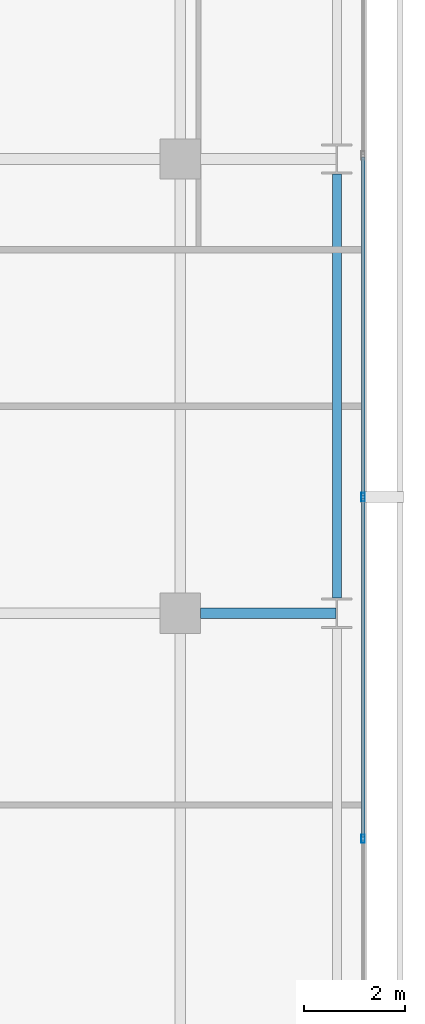
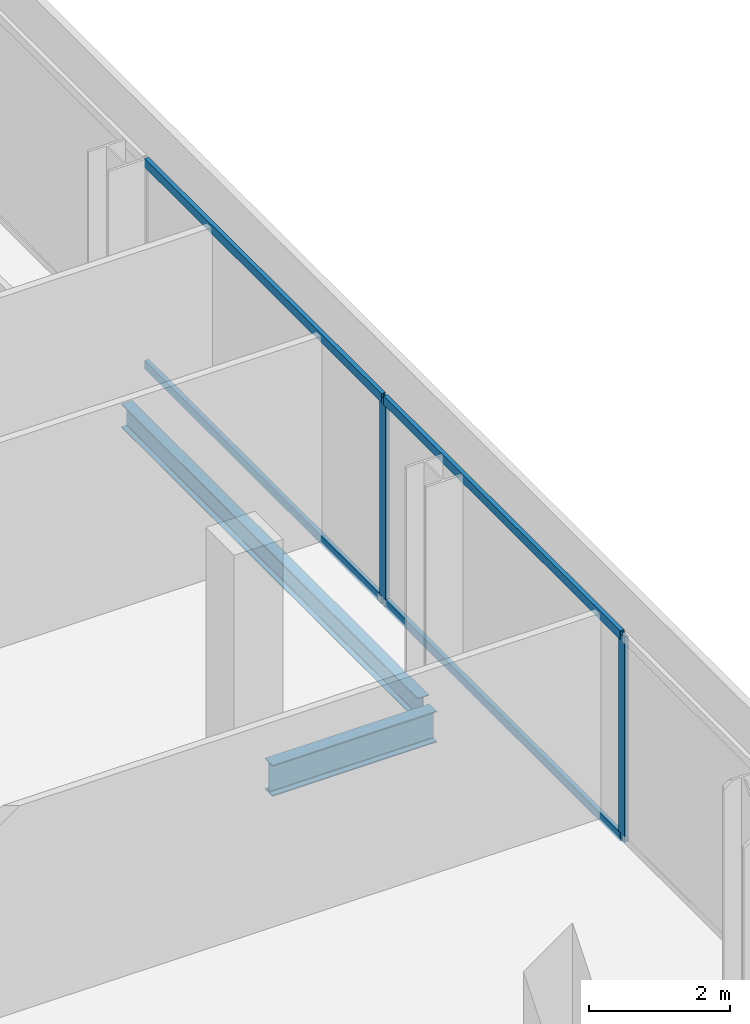
# One storey, part 17 of 32: 6 members, 2 beams, 1 element without a shape of its own.
"""IFC4 building model written with IfcOpenShell, lengths in metres."""

from ifc_helpers import new_model, si_unit, direction, frame, origin, origin_2d, place, context, subcontext, project, spatial, hollow_rectangle, i_section, extrude, material, layer, layer_set, material_profile, profile_set, type_object, element, aggregate, save


model = new_model("IFC4")

# Units and contexts
model_context = context("Model", 3, precision=1e-05, world=origin(), true_north=direction((0.0, 1.0)))
body_context = subcontext(model_context, "Body", "Model", "MODEL_VIEW")
ifc_project = project(units=[si_unit("LENGTHUNIT", "METRE"), si_unit("AREAUNIT", "SQUARE_METRE"), si_unit("VOLUMEUNIT", "CUBIC_METRE"), si_unit("PLANEANGLEUNIT", "RADIAN"), si_unit("MASSUNIT", "GRAM", prefix="KILO")], contexts=[model_context])

# Site, building, storey
site_placement = place(None, origin())
site = spatial("IfcSite", under=ifc_project, at=site_placement, CompositionType="ELEMENT")
building_placement = place(site_placement, origin())
building = spatial("IfcBuilding", under=site, at=building_placement, Name="Maruvema Waterfront Hotel and Observation Tower", CompositionType="ELEMENT")
storey_placement = place(building_placement, frame((0.0, 0.0, 223.64990234375)))
storey = spatial("IfcBuildingStorey", under=building, at=storey_placement, Name="L55", CompositionType="ELEMENT", Elevation=223.64990234375)

# Curtain wall, members
ifc_material_1 = material(Name="Anodised bronze aluminium and solar-control low-E IGU", Category="aluminium")
ifc_layer = layer(ifc_material_1, 0.159912109375, Name="Zone 2 Amber Inner Thermal Curtain Wall System CW-03")
ifc_layer_set = layer_set([ifc_layer], Name="Anodised bronze aluminium and solar-control low-E IGU")
curtain_wall_type = type_object("IfcCurtainWallType", Name="Zone 2 Amber Inner Thermal Curtain Wall System CW-03", PredefinedType="USERDEFINED", material=ifc_layer_set)
curtain_wall_placement = place(storey_placement, origin())
curtain_wall = element("IfcCurtainWall", 1, at=curtain_wall_placement, inside=storey, type_object=curtain_wall_type, Name="L55 Curtain Wall CW-L55-E", ObjectType="UNITISED CURTAIN WALL", PredefinedType="USERDEFINED")
ifc_material_2 = material(Name="Anodised architectural bronze aluminium", Category="aluminium")
ifc_material_profile_1 = material_profile(ifc_material_2, hollow_rectangle(XDim=0.070068359375, YDim=0.14990234375, WallThickness=0.00390625, at=origin_2d()), Name="ALU-T70x150")
ifc_profile_set_1 = profile_set([ifc_material_profile_1], Name="Anodised architectural bronze aluminium")
member_type_1 = type_object("IfcMemberType", Name="Curtain Wall Horizontal Transom ALU-T70x150", PredefinedType="USERDEFINED", material=ifc_profile_set_1)
member_1_placement = place(storey_placement, frame((62.419921875, 22.563232421875, 0.030029296875), z_axis=(0.0, 1.0, 0.0), x_axis=(-1.0, 0.0, 0.0)))
member_1 = element("IfcMember", 2, at=member_1_placement, type_object=member_type_1, Name="CW-03 transom 3.1", ObjectType="TRANSOM", PredefinedType="USERDEFINED", context=body_context, shape_type="SweptSolid", body=[
    extrude(hollow_rectangle(XDim=0.070068359375, YDim=0.14990234375, WallThickness=0.00390625, at=origin_2d()), origin(), (0.0, 0.0, 1.0), 6.706787109375),
])
member_2_placement = place(storey_placement, frame((62.419921875, 22.563232421875, 3.52001953125), z_axis=(0.0, 1.0, 0.0), x_axis=(-1.0, 0.0, 0.0)))
member_2 = element("IfcMember", 3, at=member_2_placement, type_object=member_type_1, Name="CW-03 transom 3.2", ObjectType="TRANSOM", PredefinedType="USERDEFINED", context=body_context, shape_type="SweptSolid", body=[
    extrude(hollow_rectangle(XDim=0.070068359375, YDim=0.14990234375, WallThickness=0.00390625, at=origin_2d()), origin(), (0.0, 0.0, 1.0), 6.706787109375),
])
member_3_placement = place(storey_placement, frame((62.419921875, 29.330078125, 0.030029296875), z_axis=(0.0, 1.0, 0.0), x_axis=(-1.0, 0.0, 0.0)))
member_3 = element("IfcMember", 4, at=member_3_placement, type_object=member_type_1, Name="CW-03 transom 4.1", ObjectType="TRANSOM", PredefinedType="USERDEFINED", context=body_context, shape_type="SweptSolid", body=[
    extrude(hollow_rectangle(XDim=0.070068359375, YDim=0.14990234375, WallThickness=0.00390625, at=origin_2d()), origin(), (0.0, 0.0, 1.0), 6.70654296875),
])
member_4_placement = place(storey_placement, frame((62.419921875, 29.330078125, 3.52001953125), z_axis=(0.0, 1.0, 0.0), x_axis=(-1.0, 0.0, 0.0)))
member_4 = element("IfcMember", 5, at=member_4_placement, type_object=member_type_1, Name="CW-03 transom 4.2", ObjectType="TRANSOM", PredefinedType="USERDEFINED", context=body_context, shape_type="SweptSolid", body=[
    extrude(hollow_rectangle(XDim=0.070068359375, YDim=0.14990234375, WallThickness=0.00390625, at=origin_2d()), origin(), (0.0, 0.0, 1.0), 6.70654296875),
])
ifc_material_3 = material(Name="Anodised architectural bronze aluminium", Category="aluminium")
ifc_material_profile_2 = material_profile(ifc_material_3, hollow_rectangle(XDim=0.06494140625, YDim=0.1650390625, WallThickness=0.00390625, at=origin_2d()), Name="ALU-M65x165")
ifc_profile_set_2 = profile_set([ifc_material_profile_2], Name="Anodised architectural bronze aluminium")
member_type_2 = type_object("IfcMemberType", Name="Curtain Wall Primary Mullion ALU-M65x165", PredefinedType="MULLION", material=ifc_profile_set_2)
member_5_placement = place(storey_placement, frame((62.419921875, 22.533447265625, 0.0), z_axis=(0.0, 0.0, 1.0), x_axis=(-1.0, 0.0, 0.0)))
member_5 = element("IfcMember", 6, at=member_5_placement, type_object=member_type_2, Name="CW-03 mullion 3", PredefinedType="MULLION", context=body_context, shape_type="SweptSolid", body=[
    extrude(hollow_rectangle(XDim=0.06494140625, YDim=0.1650390625, WallThickness=0.00390625, at=origin_2d()), origin(), (0.0, 0.0, 1.0), 3.550048828125),
])
member_6_placement = place(storey_placement, frame((62.419921875, 29.300048828125, 0.0), z_axis=(0.0, 0.0, 1.0), x_axis=(-1.0, 0.0, 0.0)))
member_6 = element("IfcMember", 7, at=member_6_placement, type_object=member_type_2, Name="CW-03 mullion 4", PredefinedType="MULLION", context=body_context, shape_type="SweptSolid", body=[
    extrude(hollow_rectangle(XDim=0.06494140625, YDim=0.1650390625, WallThickness=0.00390625, at=origin_2d()), origin(), (0.0, 0.0, 1.0), 3.550048828125),
])
aggregate(curtain_wall, [member_5, member_6, member_1, member_2, member_3, member_4])

# Beams
ifc_material_4 = material(Name="Steel ASTM A572 Grade 50", Category="steel")
ifc_material_profile_3 = material_profile(ifc_material_4, i_section(OverallWidth=0.178955078125, OverallDepth=0.409912109375, WebThickness=0.0087890625, FlangeThickness=0.014404296875, FilletRadius=0.014892578125, at=origin_2d()), Name="W410x67.0")
ifc_profile_set_3 = profile_set([ifc_material_profile_3], Name="Steel ASTM A572 Grade 50")
beam_type_1 = type_object("IfcBeamType", Name="Perimeter Spandrel Beam W410x67.0", PredefinedType="SPANDREL", material=ifc_profile_set_3)
beam_1_placement = place(storey_placement, frame((61.89990234375, 27.300048828125, -0.44482421875), z_axis=(0.0, 1.0, 0.0), x_axis=(-1.0, 0.0, 0.0)))
element("IfcBeam", 8, at=beam_1_placement, inside=storey, type_object=beam_type_1, Name="L55 Floor Girder NS-31", PredefinedType="SPANDREL", context=body_context, shape_type="SweptSolid", body=[
    extrude(i_section(OverallWidth=0.178955078125, OverallDepth=0.409912109375, WebThickness=0.0087890625, FlangeThickness=0.014404296875, FilletRadius=0.014892578125, at=origin_2d()), origin(), (0.0, 0.0, 1.0), 8.39990234375),
])
ifc_material_5 = material(Name="Steel ASTM A572 Grade 50", Category="steel")
ifc_material_profile_4 = material_profile(ifc_material_5, i_section(OverallWidth=0.2109375, OverallDepth=0.5390625, WebThickness=0.01171875, FlangeThickness=0.018798828125, FilletRadius=0.014892578125, at=origin_2d()), Name="W530x109.0")
ifc_profile_set_4 = profile_set([ifc_material_profile_4], Name="Steel ASTM A572 Grade 50")
beam_type_2 = type_object("IfcBeamType", Name="Primary Floor Girder W530x109.0", PredefinedType="BEAM", material=ifc_profile_set_4)
beam_2_placement = place(storey_placement, frame((59.199951171875, 27.0, -0.509521484375), z_axis=(1.0, 0.0, 0.0), x_axis=(0.0, 1.0, 0.0)))
element("IfcBeam", 9, at=beam_2_placement, inside=storey, type_object=beam_type_2, Name="L55 Floor Girder EW-22", PredefinedType="BEAM", context=body_context, shape_type="SweptSolid", body=[
    extrude(i_section(OverallWidth=0.2109375, OverallDepth=0.5390625, WebThickness=0.01171875, FlangeThickness=0.018798828125, FilletRadius=0.014892578125, at=origin_2d()), origin(), (0.0, 0.0, 1.0), 2.6875),
])

save(model, "model.ifc")
